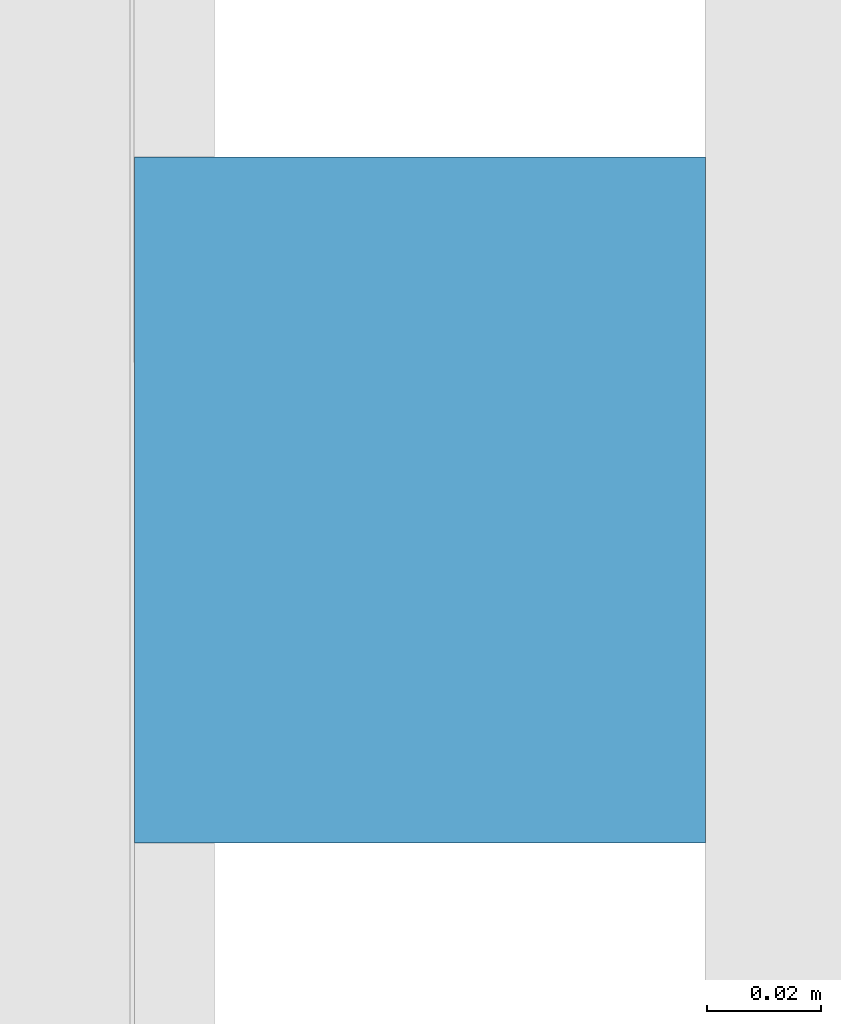
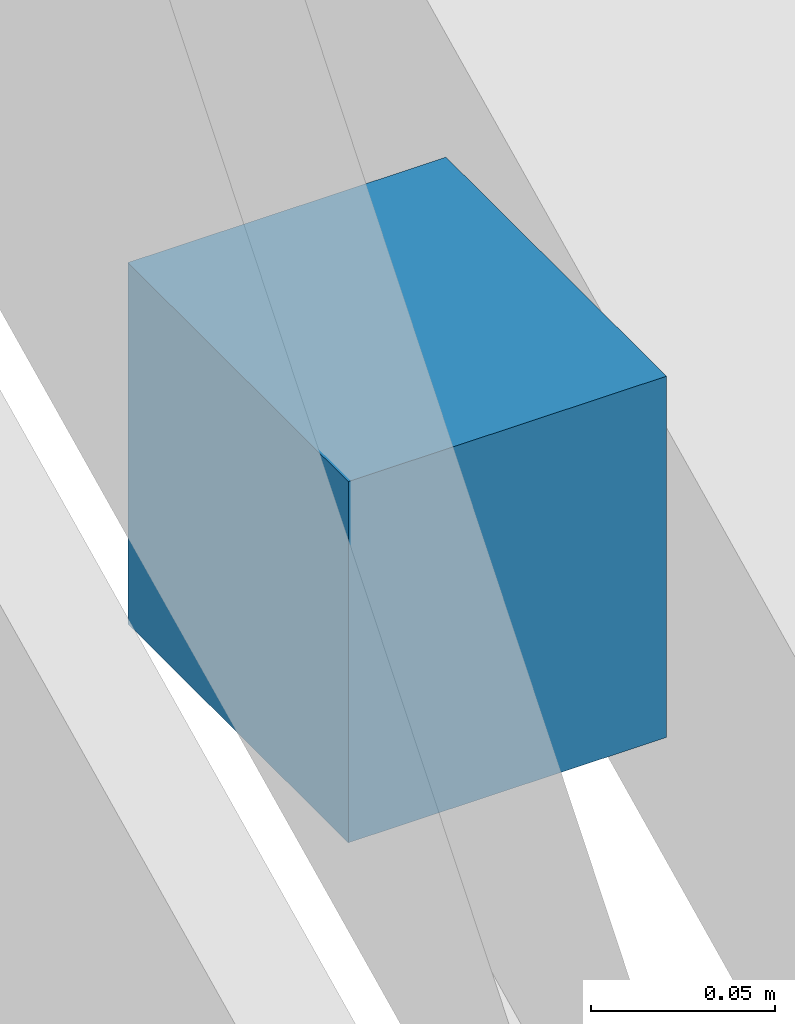
# One storey, part 21 of 22: 1 discrete accessory.
"""IFC4 building model written with IfcOpenShell, lengths in metres."""

from ifc_helpers import new_model, si_unit, direction, frame, origin, origin_2d, place, context, subcontext, project, spatial, rectangle, extrude, material, type_object, element, save


model = new_model("IFC4")

# Units and contexts
model_context = context("Model", 3, precision=1e-05, world=origin(), true_north=direction((0.0, 1.0)))
body_context = subcontext(model_context, "Body", "Model", "MODEL_VIEW")
ifc_project = project(units=[si_unit("LENGTHUNIT", "METRE"), si_unit("AREAUNIT", "SQUARE_METRE"), si_unit("VOLUMEUNIT", "CUBIC_METRE"), si_unit("PLANEANGLEUNIT", "RADIAN"), si_unit("MASSUNIT", "GRAM", prefix="KILO")], contexts=[model_context])

# Site, building, storey
site_placement = place(None, origin())
site = spatial("IfcSite", under=ifc_project, at=site_placement, CompositionType="ELEMENT")
building_placement = place(site_placement, origin())
building = spatial("IfcBuilding", under=site, at=building_placement, Name="Crosswind Convention Tower", CompositionType="ELEMENT")
storey_placement = place(building_placement, frame((0.0, 0.0, 167.300048828125)))
storey = spatial("IfcBuildingStorey", under=building, at=storey_placement, Name="L35", CompositionType="ELEMENT", Elevation=167.300048828125)

# Discrete accessory
ifc_material = material(Name="Stainless steel", Category="steel")
discrete_accessory_type = type_object("IfcDiscreteAccessoryType", Name="BAGUETTE BRACKET BK3", PredefinedType="BRACKET", material=ifc_material)
discrete_accessory_placement = place(storey_placement, frame((161.676025390625, 91.79248046875, 1.65478515625), z_axis=(0.0, 0.0, 1.0), x_axis=(0.0, 1.0, 0.0)))
element("IfcDiscreteAccessory", 1, at=discrete_accessory_placement, inside=storey, type_object=discrete_accessory_type, Name="BK3 baguette bracket", PredefinedType="BRACKET", context=body_context, shape_type="SweptSolid", body=[
    extrude(rectangle(XDim=0.1201171875, YDim=0.10009765625, at=origin_2d()), origin(), (0.0, 0.0, 1.0), 0.1201171875),
])

save(model, "model.ifc")
